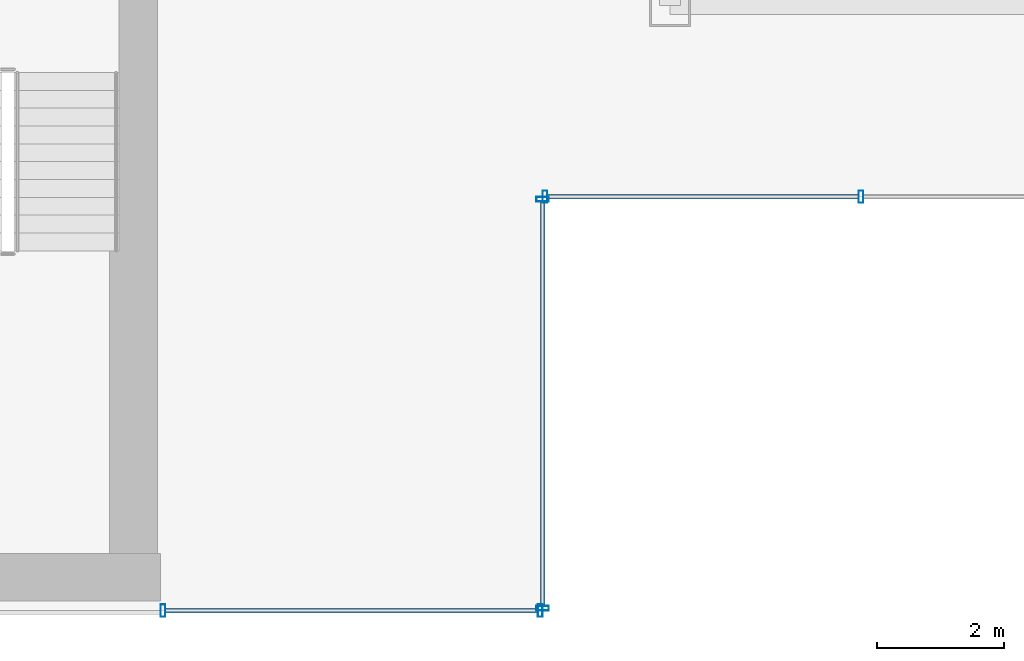
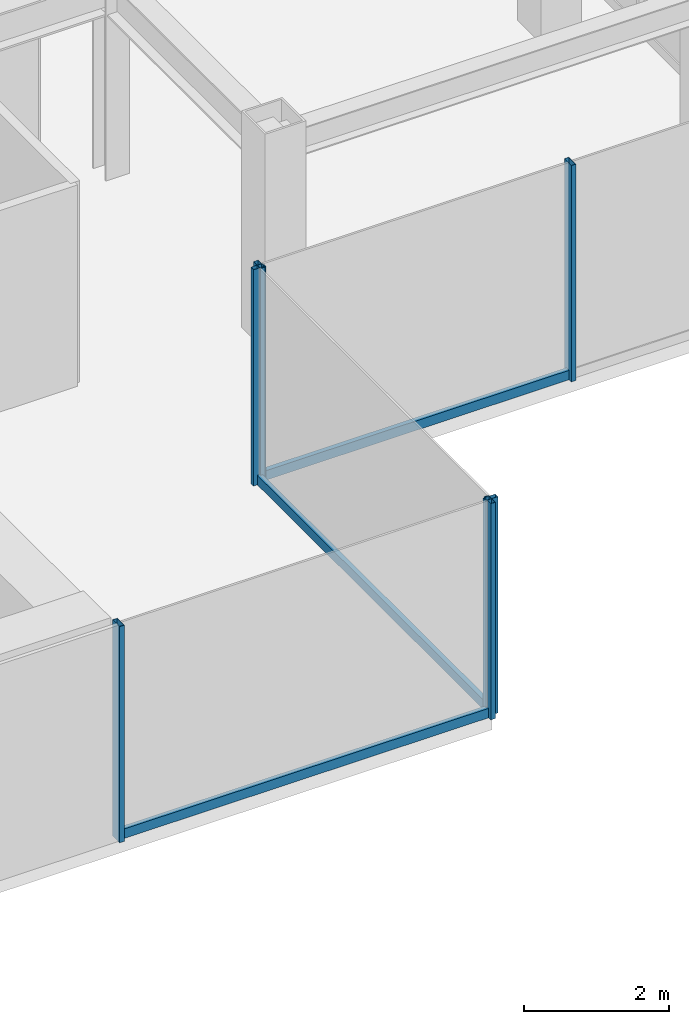
# One storey, part 3 of 19: 9 members, 3 elements without a shape of their own.
"""IFC4 building model written with IfcOpenShell, lengths in metres."""

from ifc_helpers import new_model, si_unit, derived_unit, direction, frame, origin, origin_2d, place, context, subcontext, project, spatial, hollow_rectangle, extrude, source, transform, mapped, material, material_profile, profile_set, type_object, element, aggregate, save


model = new_model("IFC4")

# Units and contexts
model_context = context("Model", 3, precision=1e-05, world=origin(), true_north=direction((0.0, 1.0)))
body_context = subcontext(model_context, "Body", "Model", "MODEL_VIEW")
ifc_project = project(units=[si_unit("LENGTHUNIT", "METRE"), si_unit("AREAUNIT", "SQUARE_METRE"), si_unit("VOLUMEUNIT", "CUBIC_METRE"), si_unit("PLANEANGLEUNIT", "RADIAN"), si_unit("MASSUNIT", "GRAM", prefix="KILO"), derived_unit("THERMALTRANSMITTANCEUNIT", [(si_unit("POWERUNIT", "WATT"), 1), (si_unit("LENGTHUNIT", "METRE"), -2), (si_unit("THERMODYNAMICTEMPERATUREUNIT", "KELVIN"), -1)])], contexts=[model_context])

# Site, building, storey
site_placement = place(None, origin())
site = spatial("IfcSite", under=ifc_project, at=site_placement, CompositionType="ELEMENT")
building_placement = place(site_placement, origin())
building = spatial("IfcBuilding", under=site, at=building_placement, Name="Skarnbrae Concourse Arena and Tower", CompositionType="ELEMENT")
storey_placement = place(building_placement, frame((0.0, 0.0, 180.75)))
storey = spatial("IfcBuildingStorey", under=building, at=storey_placement, Name="L46", CompositionType="ELEMENT", Elevation=180.75)

# Curtain wall, member
ifc_material = material(Name="Bronze anodised aluminium 6063-T6", Category="aluminium")
curtain_wall_type = type_object("IfcCurtainWallType", Name="CW-SYS-04-MIDZONE", PredefinedType="USERDEFINED", material=ifc_material)
curtain_wall_1_placement = place(storey_placement, origin())
curtain_wall_1 = element("IfcCurtainWall", 1, at=curtain_wall_1_placement, inside=storey, type_object=curtain_wall_type, Name="L46 Unitised curtain wall CW-L46-E03", ObjectType="UNITISED CURTAIN WALL", PredefinedType="USERDEFINED")
ifc_material_profile_1 = material_profile(ifc_material, hollow_rectangle(XDim=0.074951171875, YDim=0.159912109375, WallThickness=0.00439453125, at=origin_2d()), Name="ALU-TRAN-75X160")
ifc_profile_set_1 = profile_set([ifc_material_profile_1], Name="Bronze anodised aluminium 6063-T6")
member_type_1 = type_object("IfcMemberType", Name="CWT-CW-04", PredefinedType="USERDEFINED", material=ifc_profile_set_1)
shared_shape_1 = source(origin(), body_context, "Body", "SweptSolid", [
    extrude(hollow_rectangle(XDim=0.074951171875, YDim=0.159912109375, WallThickness=0.00439453125, at=origin_2d()), origin(), (0.0, 0.0, 1.0), 4.887451171875),
])
member_1_placement = place(storey_placement, frame((40.074951171875, 6.5, 0.080078125), z_axis=(1.0, 0.0, 0.0), x_axis=(0.0, 1.0, 0.0)))
member_1 = element("IfcMember", 2, at=member_1_placement, type_object=member_type_1, Name="CW-L46-E03 Transom 1", ObjectType="TRANSOM", PredefinedType="USERDEFINED", context=body_context, shape_type="MappedRepresentation", body=[
    mapped(shared_shape_1, transform((0.0, 0.0, 0.0))),
])

# Curtain wall, members
curtain_wall_2_placement = place(storey_placement, origin())
curtain_wall_2 = element("IfcCurtainWall", 3, at=curtain_wall_2_placement, inside=storey, type_object=curtain_wall_type, Name="L46 Unitised curtain wall CW-L46-SE-SPINE", ObjectType="UNITISED CURTAIN WALL", PredefinedType="USERDEFINED")
ifc_material_profile_2 = material_profile(ifc_material, hollow_rectangle(XDim=0.074951171875, YDim=0.195068359375, WallThickness=0.00439453125, at=origin_2d()), Name="ALU-MULL-75X195")
ifc_profile_set_2 = profile_set([ifc_material_profile_2], Name="Bronze anodised aluminium 6063-T6")
member_type_2 = type_object("IfcMemberType", Name="CWM-CW-04", PredefinedType="MULLION", material=ifc_profile_set_2)
shared_shape_2 = source(origin(), body_context, "Body", "SweptSolid", [
    extrude(hollow_rectangle(XDim=0.074951171875, YDim=0.195068359375, WallThickness=0.00439453125, at=origin_2d()), origin(), (0.0, 0.0, 1.0), 3.64990234375),
])
member_2_placement = place(storey_placement, frame((34.03759765625, 0.0, 0.0), z_axis=(0.0, 0.0, 1.0), x_axis=(1.0, 0.0, 0.0)))
member_2 = element("IfcMember", 4, at=member_2_placement, type_object=member_type_2, Name="CW-L46-SE-SPINE Mullion 1", PredefinedType="MULLION", context=body_context, shape_type="MappedRepresentation", body=[
    mapped(shared_shape_2, transform((0.0, 0.0, 0.0))),
])
member_3_placement = place(storey_placement, frame((39.96240234375, 0.0, 0.0), z_axis=(0.0, 0.0, 1.0), x_axis=(1.0, 0.0, 0.0)))
member_3 = element("IfcMember", 5, at=member_3_placement, type_object=member_type_2, Name="CW-L46-SE-SPINE Mullion 2", PredefinedType="MULLION", context=body_context, shape_type="MappedRepresentation", body=[
    mapped(shared_shape_2, transform((0.0, 0.0, 0.0))),
])

curtain_wall_3_placement = place(storey_placement, origin())
curtain_wall_3 = element("IfcCurtainWall", 6, at=curtain_wall_3_placement, inside=storey, type_object=curtain_wall_type, Name="L46 Unitised curtain wall CW-L46-E02", ObjectType="UNITISED CURTAIN WALL", PredefinedType="USERDEFINED")
member_4_placement = place(storey_placement, frame((40.0, 0.03759765625, 0.0), z_axis=(0.0, 0.0, 1.0), x_axis=(0.0, 1.0, 0.0)))
member_4 = element("IfcMember", 7, at=member_4_placement, type_object=member_type_2, Name="CW-L46-E02 Mullion 1", PredefinedType="MULLION", context=body_context, shape_type="MappedRepresentation", body=[
    mapped(shared_shape_2, transform((0.0, 0.0, 0.0))),
])
member_5_placement = place(storey_placement, frame((40.0, 6.46240234375, 0.0), z_axis=(0.0, 0.0, 1.0), x_axis=(0.0, 1.0, 0.0)))
member_5 = element("IfcMember", 8, at=member_5_placement, type_object=member_type_2, Name="CW-L46-E02 Mullion 2", PredefinedType="MULLION", context=body_context, shape_type="MappedRepresentation", body=[
    mapped(shared_shape_2, transform((0.0, 0.0, 0.0))),
])

# Member
member_6_placement = place(storey_placement, frame((40.03759765625, 6.5, 0.0), z_axis=(0.0, 0.0, 1.0), x_axis=(1.0, 0.0, 0.0)))
member_6 = element("IfcMember", 9, at=member_6_placement, type_object=member_type_2, Name="CW-L46-E03 Mullion 1", PredefinedType="MULLION", context=body_context, shape_type="MappedRepresentation", body=[
    mapped(shared_shape_2, transform((0.0, 0.0, 0.0))),
])

member_7_placement = place(storey_placement, frame((45.0, 6.5, 0.0), z_axis=(0.0, 0.0, 1.0), x_axis=(1.0, 0.0, 0.0)))
member_7 = element("IfcMember", 10, at=member_7_placement, type_object=member_type_2, Name="CW-L46-E03 Mullion 2", PredefinedType="MULLION", context=body_context, shape_type="MappedRepresentation", body=[
    mapped(shared_shape_2, transform((0.0, 0.0, 0.0))),
])

aggregate(curtain_wall_1, [member_6, member_7, member_1])

shared_shape_3 = source(origin(), body_context, "Body", "SweptSolid", [
    extrude(hollow_rectangle(XDim=0.074951171875, YDim=0.159912109375, WallThickness=0.00439453125, at=origin_2d()), origin(), (0.0, 0.0, 1.0), 5.85009765625),
])
member_8_placement = place(storey_placement, frame((34.074951171875, 0.0, 0.080078125), z_axis=(1.0, 0.0, 0.0), x_axis=(0.0, 1.0, 0.0)))
member_8 = element("IfcMember", 11, at=member_8_placement, type_object=member_type_1, Name="CW-L46-SE-SPINE Transom 1", ObjectType="TRANSOM", PredefinedType="USERDEFINED", context=body_context, shape_type="MappedRepresentation", body=[
    mapped(shared_shape_3, transform((0.0, 0.0, 0.0))),
])

aggregate(curtain_wall_2, [member_2, member_3, member_8])

shared_shape_4 = source(origin(), body_context, "Body", "SweptSolid", [
    extrude(hollow_rectangle(XDim=0.074951171875, YDim=0.159912109375, WallThickness=0.00439453125, at=origin_2d()), origin(), (0.0, 0.0, 1.0), 6.35009765625),
])
member_9_placement = place(storey_placement, frame((40.0, 0.074951171875, 0.080078125), z_axis=(0.0, 1.0, 0.0), x_axis=(-1.0, 0.0, 0.0)))
member_9 = element("IfcMember", 12, at=member_9_placement, type_object=member_type_1, Name="CW-L46-E02 Transom 1", ObjectType="TRANSOM", PredefinedType="USERDEFINED", context=body_context, shape_type="MappedRepresentation", body=[
    mapped(shared_shape_4, transform((0.0, 0.0, 0.0))),
])

aggregate(curtain_wall_3, [member_4, member_5, member_9])

save(model, "model.ifc")
